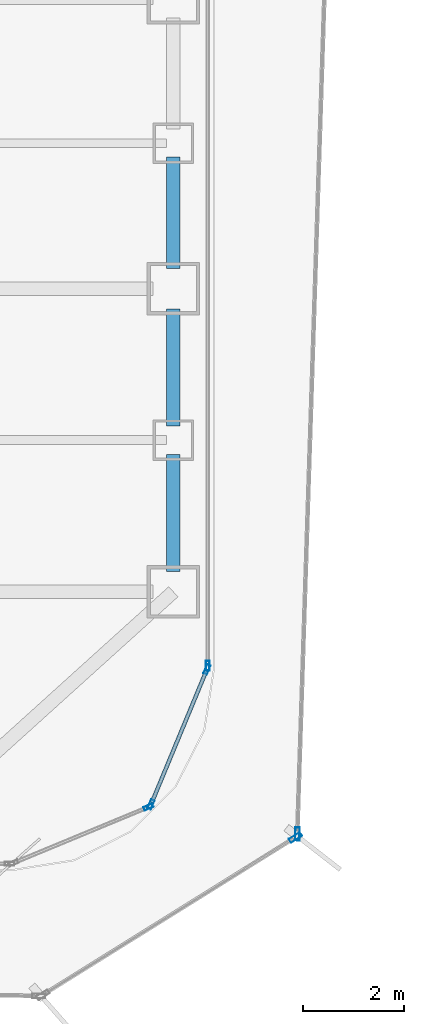
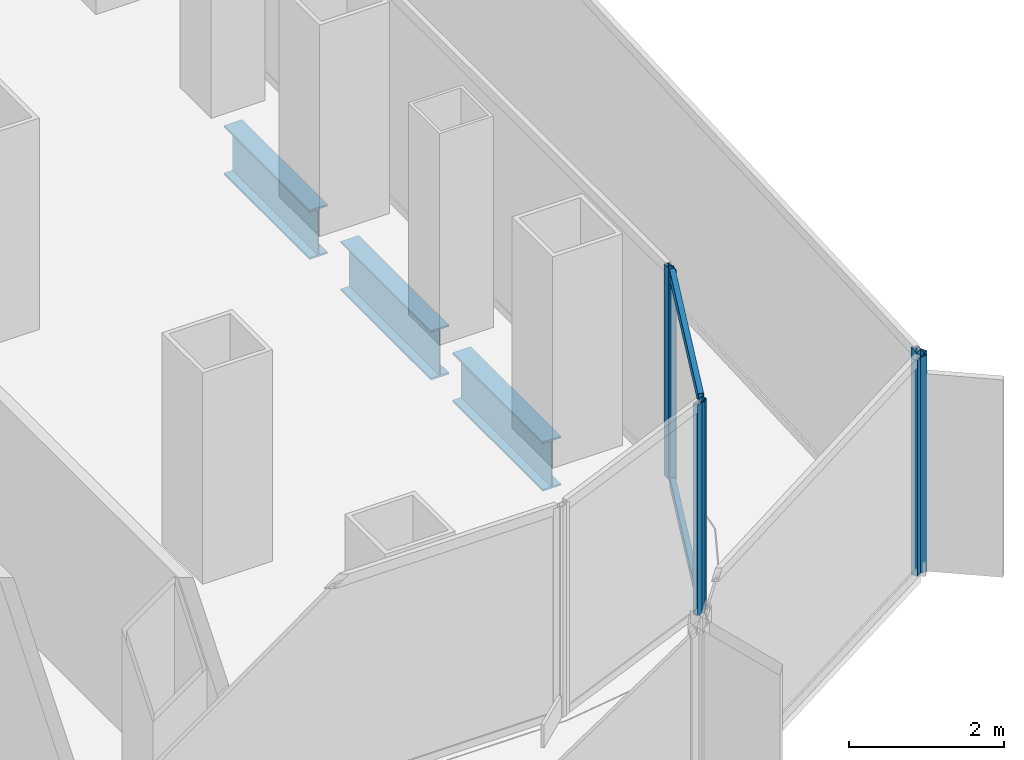
# One storey, part 8 of 22: 8 members, 3 beams, 5 elements without a shape of their own.
"""IFC4 building model written with IfcOpenShell, lengths in metres."""

import ifcopenshell
import ifcopenshell.guid

model = None  # the IFC model being written
_history = None  # IfcOwnerHistory: only IFC2X3 demands one
_inside = {}  # id of a spatial element -> (the spatial element, [elements in it])
_under = {}  # id of a project, library or spatial element -> (it, [spatial elements below it])
_declared = {}  # id of a project -> (the project, [libraries it declares])
_typed = {}  # id of a type object -> (the type object, [elements of that type])
_made_of = {}  # id of a material, layer set ... -> (it, [elements and type objects made of it])


def new_model(schema):
    """Start an empty IFC model of exactly this schema.

    Asked for "IFC4X3", IfcOpenShell would pick the latest addendum, in which some entities
    have other attributes; the version numbers below select the first issue.
    IFC2X3 requires an IfcOwnerHistory on every rooted entity: one is made here for all.
    """
    global model, _history
    if schema == "IFC4X3":
        model = ifcopenshell.file(schema_version=(4, 3, 0, 0))
    else:
        model = ifcopenshell.file(schema=schema)
    _inside.clear()
    _under.clear()
    _declared.clear()
    _typed.clear()
    _made_of.clear()
    _history = None
    if model.schema == "IFC2X3":
        org = make("IfcOrganization", Name="unknown")
        user = make(
            "IfcPersonAndOrganization",
            ThePerson=make("IfcPerson", FamilyName="unknown"),
            TheOrganization=org,
        )
        app = make(
            "IfcApplication",
            ApplicationDeveloper=org,
            Version="unknown",
            ApplicationFullName="unknown",
            ApplicationIdentifier="unknown",
        )
        _history = make(
            "IfcOwnerHistory",
            OwningUser=user,
            OwningApplication=app,
            ChangeAction="ADDED",
            CreationDate=0,
        )
    return model


def make(cls, **values):
    """One entity of the class cls with the attributes given. An attribute that is None is left unset."""
    return model.create_entity(
        cls, **{name: value for name, value in values.items() if value is not None}
    )


def rooted(cls, **values):
    """An entity with a GlobalId (a new one), such as an element, a storey or a relation."""
    return make(cls, GlobalId=ifcopenshell.guid.new(), OwnerHistory=_history, **values)


def si_unit(unit_type, name, prefix=None):
    """IfcSIUnit, for example si_unit("LENGTHUNIT", "METRE", prefix="MILLI")."""
    return make("IfcSIUnit", UnitType=unit_type, Prefix=prefix, Name=name)


def assignment(units):
    """IfcUnitAssignment: the units of a project."""
    return None if units is None else make("IfcUnitAssignment", Units=units)


def point(xyz):
    """IfcCartesianPoint."""
    return None if xyz is None else make("IfcCartesianPoint", Coordinates=xyz)


def direction(xyz):
    """IfcDirection."""
    return None if xyz is None else make("IfcDirection", DirectionRatios=xyz)


def frame(location, z_axis=None, x_axis=None):
    """IfcAxis2Placement3D, a coordinate frame: its origin and axes. An axis left out is left unset."""
    return make(
        "IfcAxis2Placement3D",
        Location=point(location),
        Axis=direction(z_axis),
        RefDirection=direction(x_axis),
    )


def frame_2d(location, x_axis=None):
    """IfcAxis2Placement2D, a coordinate frame in the plane: its origin and x axis."""
    return make(
        "IfcAxis2Placement2D", Location=point(location), RefDirection=direction(x_axis)
    )


def origin():
    """The frame at (0, 0, 0) with its axes left unset."""
    return frame((0.0, 0.0, 0.0))


def origin_2d():
    """The frame at (0, 0) in the plane with its x axis left unset."""
    return frame_2d((0.0, 0.0))


def place(relative_to, where):
    """IfcLocalPlacement: puts the frame where relative to a parent placement (None: the world)."""
    return make(
        "IfcLocalPlacement", PlacementRelTo=relative_to, RelativePlacement=where
    )


def context(
    kind, dimensions, precision=None, world=None, true_north=None, identifier=None
):
    """IfcGeometricRepresentationContext, for example the 3D "Model" context."""
    return make(
        "IfcGeometricRepresentationContext",
        ContextIdentifier=identifier,
        ContextType=kind,
        CoordinateSpaceDimension=dimensions,
        Precision=precision,
        WorldCoordinateSystem=world,
        TrueNorth=true_north,
    )


def subcontext(parent, identifier, kind, view, scale=None):
    """IfcGeometricRepresentationSubContext, for example "Body" below "Model"."""
    return make(
        "IfcGeometricRepresentationSubContext",
        ContextIdentifier=identifier,
        ContextType=kind,
        ParentContext=parent,
        TargetScale=scale,
        TargetView=view,
    )


def project(units=None, contexts=None):
    """IfcProject with its units and contexts."""
    return rooted(
        "IfcProject",
        Name="project",
        RepresentationContexts=contexts,
        UnitsInContext=assignment(units),
    )


def spatial(cls, under=None, at=None, **own):
    """A site, building, storey or space (cls), placed at a placement, below another one or the project."""
    s = rooted(cls, ObjectPlacement=at, **own)
    if under is not None:
        _under.setdefault(under.id(), (under, []))[1].append(s)
    return s


def profile(cls, at=None, kind="AREA", **sizes):
    """A parametric profile (cls). Its sizes go by their IFC names, for example OverallWidth=200.0."""
    return make(cls, ProfileType=kind, Position=at, **sizes)


def hollow_rectangle(**sizes):
    """IfcRectangleHollowProfileDef."""
    return profile("IfcRectangleHollowProfileDef", **sizes)


def i_section(**sizes):
    """IfcIShapeProfileDef."""
    return profile("IfcIShapeProfileDef", **sizes)


def extrude(swept, where, along, depth):
    """IfcExtrudedAreaSolid: the profile swept, set in the frame where, extruded along a direction by depth."""
    return make(
        "IfcExtrudedAreaSolid",
        SweptArea=swept,
        Position=where,
        ExtrudedDirection=direction(along),
        Depth=depth,
    )


def shape(context_of_items, identifier, shape_type, items):
    """IfcShapeRepresentation: the items that make up one representation, for example the "Body"."""
    return make(
        "IfcShapeRepresentation",
        ContextOfItems=context_of_items,
        RepresentationIdentifier=identifier,
        RepresentationType=shape_type,
        Items=items,
    )


def source(mapping_origin, context_of_items, identifier, shape_type, items):
    """IfcRepresentationMap: a shape defined once, which mapped items show again and again."""
    return make(
        "IfcRepresentationMap",
        MappingOrigin=mapping_origin,
        MappedRepresentation=shape(context_of_items, identifier, shape_type, items),
    )


def transform(
    local_origin,
    x_axis=None,
    y_axis=None,
    z_axis=None,
    scale=None,
    scale2=None,
    scale3=None,
    uniform=True,
):
    """IfcCartesianTransformationOperator3D, or its non-uniform kind. x_axis, y_axis, z_axis: its Axis1, 2, 3."""
    if uniform:
        return make(
            "IfcCartesianTransformationOperator3D",
            Axis1=direction(x_axis),
            Axis2=direction(y_axis),
            LocalOrigin=point(local_origin),
            Scale=scale,
            Axis3=direction(z_axis),
        )
    return make(
        "IfcCartesianTransformationOperator3DnonUniform",
        Axis1=direction(x_axis),
        Axis2=direction(y_axis),
        LocalOrigin=point(local_origin),
        Scale=scale,
        Axis3=direction(z_axis),
        Scale2=scale2,
        Scale3=scale3,
    )


def mapped(mapping_source, mapping_target):
    """IfcMappedItem: shows the shape of a source again, moved by a transform."""
    return make(
        "IfcMappedItem", MappingSource=mapping_source, MappingTarget=mapping_target
    )


def material(Name=None, Category=None):
    """IfcMaterial."""
    return make("IfcMaterial", Name=Name, Category=Category)


def layer(
    of_material, thickness, ventilated=None, Name=None, Category=None, Priority=None
):
    """IfcMaterialLayer: one layer of a wall or slab, of a material (None: an air gap)."""
    return make(
        "IfcMaterialLayer",
        Material=of_material,
        LayerThickness=thickness,
        IsVentilated=ventilated,
        Name=Name,
        Category=Category,
        Priority=Priority,
    )


def layer_set(layers, Name=None):
    """IfcMaterialLayerSet."""
    return make("IfcMaterialLayerSet", MaterialLayers=layers, LayerSetName=Name)


def material_profile(
    of_material, cross_section, Name=None, Category=None, Priority=None
):
    """IfcMaterialProfile: a cross section and its material."""
    return make(
        "IfcMaterialProfile",
        Name=Name,
        Material=of_material,
        Profile=cross_section,
        Priority=Priority,
        Category=Category,
    )


def profile_set(profiles, Name=None, composite=None):
    """IfcMaterialProfileSet."""
    return make(
        "IfcMaterialProfileSet",
        Name=Name,
        MaterialProfiles=profiles,
        CompositeProfile=composite,
    )


def made_of(thing, what):
    """Note that an element or type object is made of a material, layer set ...; save() writes the relation."""
    if what is not None:
        _made_of.setdefault(what.id(), (what, []))[1].append(thing)
    return thing


def type_object(cls, material=None, **own):
    """A type object (cls), such as IfcWallType, which elements share."""
    return made_of(rooted(cls, **own), material)


def element(
    cls,
    number,
    at=None,
    inside=None,
    cuts=None,
    type_object=None,
    material=None,
    context=None,
    identifier="Body",
    shape_type=None,
    held_by="IfcProductDefinitionShape",
    body=None,
    shapes=None,
    **own,
):
    """One element of the class cls, such as IfcWall. Its Tag is "e" and its number.

    at: its placement. inside: the storey or other place that contains it. cuts: it is an
    opening in that element (IfcRelVoidsElement). A single representation is given by context,
    identifier, shape_type and body (its items); several are given by shapes. held_by: the class
    of the entity that holds the representations. save() writes the other relations.
    """
    e = rooted(cls, Tag="e%d" % number, ObjectPlacement=at, **own)
    if body is not None:
        shapes = [shape(context, identifier, shape_type, body)]
    if shapes is not None:
        e.Representation = make(held_by, Representations=shapes)
    if inside is not None:
        _inside.setdefault(inside.id(), (inside, []))[1].append(e)
    if cuts is not None:
        rooted(
            "IfcRelVoidsElement", RelatingBuildingElement=cuts, RelatedOpeningElement=e
        )
    if type_object is not None:
        _typed.setdefault(type_object.id(), (type_object, []))[1].append(e)
    return made_of(e, material)


def aggregate(whole, parts):
    """IfcRelAggregates: a whole, such as a stair, and the parts it consists of."""
    return rooted("IfcRelAggregates", RelatingObject=whole, RelatedObjects=parts)


def save(model, path):
    """Write the relations noted so far, then the file.

    IfcRelAggregates (storeys below a building ...), IfcRelContainedInSpatialStructure (elements
    in a storey), IfcRelDefinesByType, IfcRelAssociatesMaterial and IfcRelDeclares: one each for
    every whole, place, type object, material and project.
    """
    for whole, parts in _under.values():
        aggregate(whole, parts)
    for where, things in _inside.values():
        rooted(
            "IfcRelContainedInSpatialStructure",
            RelatedElements=things,
            RelatingStructure=where,
        )
    for kind, things in _typed.values():
        rooted("IfcRelDefinesByType", RelatedObjects=things, RelatingType=kind)
    for what, things in _made_of.values():
        rooted("IfcRelAssociatesMaterial", RelatedObjects=things, RelatingMaterial=what)
    for by, libraries in _declared.values():
        rooted("IfcRelDeclares", RelatingContext=by, RelatedDefinitions=libraries)
    model.write(path)


model = new_model("IFC4")

# Units and contexts
model_context = context("Model", 3, precision=1e-05, world=origin(), true_north=direction((0.0, 1.0)))
body_context = subcontext(model_context, "Body", "Model", "MODEL_VIEW")
ifc_project = project(units=[si_unit("LENGTHUNIT", "METRE"), si_unit("AREAUNIT", "SQUARE_METRE"), si_unit("VOLUMEUNIT", "CUBIC_METRE"), si_unit("PLANEANGLEUNIT", "RADIAN"), si_unit("MASSUNIT", "GRAM", prefix="KILO")], contexts=[model_context])

# Site, building, storey
site_placement = place(None, origin())
site = spatial("IfcSite", under=ifc_project, at=site_placement, CompositionType="ELEMENT")
building_placement = place(site_placement, origin())
building = spatial("IfcBuilding", under=site, at=building_placement, Name="Kolveth Station Tower", CompositionType="ELEMENT")
storey_placement = place(building_placement, frame((0.0, 0.0, 51.300048828125)))
storey = spatial("IfcBuildingStorey", under=building, at=storey_placement, Name="L13", CompositionType="ELEMENT", Elevation=51.300048828125)

# Beams
ifc_material_1 = material(Name="Steel S355", Category="steel")
ifc_material_profile_1 = material_profile(ifc_material_1, i_section(OverallWidth=0.26904296875, OverallDepth=0.77490234375, WebThickness=0.01708984375, FlangeThickness=0.0283203125, at=origin_2d()), Name="W760x220")
ifc_profile_set_1 = profile_set([ifc_material_profile_1], Name="Steel S355")
beam_type = type_object("IfcBeamType", Name="Beam_SP1", PredefinedType="SPANDREL", material=ifc_profile_set_1)
shared_shape_1 = source(origin(), body_context, "Body", "SweptSolid", [
    extrude(i_section(OverallWidth=0.26904296875, OverallDepth=0.77490234375, WebThickness=0.01708984375, FlangeThickness=0.0283203125, at=origin_2d()), origin(), (0.0, 0.0, 1.0), 2.320068359375),
])
for number, where, z_axis, x_axis, name in (
    (1, (46.199951171875, 5.89990234375, -0.66748046875), (0.0, 1.0, 0.0), (-1.0, 0.0, 0.0), "L13 Perimeter Spandrel BM-L13-PE-1"),
    (2, (46.199951171875, 8.780029296875, -0.66748046875), (0.0, 1.0, 0.0), (-1.0, 0.0, 0.0), "L13 Perimeter Spandrel BM-L13-PE-2"),
):
    element("IfcBeam", number, at=place(storey_placement, frame(where, z_axis=z_axis, x_axis=x_axis)), inside=storey, type_object=beam_type, Name=name, PredefinedType="SPANDREL", context=body_context, shape_type="MappedRepresentation", body=[
        mapped(shared_shape_1, transform((0.0, 0.0, 0.0), x_axis=(1.0, 0.0, 0.0), y_axis=(0.0, 1.0, 0.0), z_axis=(0.0, 0.0, 1.0), scale=1.0)),
    ])
shared_shape_2 = source(origin(), body_context, "Body", "SweptSolid", [
    extrude(i_section(OverallWidth=0.26904296875, OverallDepth=0.77490234375, WebThickness=0.01708984375, FlangeThickness=0.0283203125, at=origin_2d()), origin(), (0.0, 0.0, 1.0), 2.2001953125),
])
beam_placement = place(storey_placement, frame((46.199951171875, 11.89990234375, -0.66748046875), z_axis=(0.0, 1.0, 0.0), x_axis=(-1.0, 0.0, 0.0)))
element("IfcBeam", 3, at=beam_placement, inside=storey, type_object=beam_type, Name="L13 Perimeter Spandrel BM-L13-PE-3", PredefinedType="SPANDREL", context=body_context, shape_type="MappedRepresentation", body=[
    mapped(shared_shape_2, transform((0.0, 0.0, 0.0), x_axis=(1.0, 0.0, 0.0), y_axis=(0.0, 1.0, 0.0), z_axis=(0.0, 0.0, 1.0), scale=1.0)),
])

# Curtain wall, member
ifc_material_2 = material(Name="Aluminium 6063-T6 and low-E dark glass", Category="aluminium")
ifc_layer_1 = layer(ifc_material_2, 0.179931640625)
ifc_layer_set_1 = layer_set([ifc_layer_1], Name="Aluminium 6063-T6 and low-E dark glass")
curtain_wall_type_1 = type_object("IfcCurtainWallType", Name="CurtainWall_CW-Z1", PredefinedType="NOTDEFINED", material=ifc_layer_set_1)
curtain_wall_1_placement = place(storey_placement, origin())
curtain_wall_1 = element("IfcCurtainWall", 4, at=curtain_wall_1_placement, inside=storey, type_object=curtain_wall_type_1, Name="L13 Inner Thermal Curtain Wall 1", PredefinedType="NOTDEFINED")
ifc_material_3 = material(Name="Black anodized aluminium 6063-T6", Category="aluminium")
ifc_material_profile_2 = material_profile(ifc_material_3, hollow_rectangle(XDim=0.074951171875, YDim=0.18994140625, WallThickness=0.0048828125, at=origin_2d()), Name="ALU-75x190x5")
ifc_profile_set_2 = profile_set([ifc_material_profile_2], Name="Black anodized aluminium 6063-T6")
member_type_1 = type_object("IfcMemberType", Name="Mullion_ML1", PredefinedType="MULLION", material=ifc_profile_set_2)
shared_shape_3 = source(origin(), body_context, "Body", "SweptSolid", [
    extrude(hollow_rectangle(XDim=0.074951171875, YDim=0.18994140625, WallThickness=0.0048828125, at=origin_2d()), origin(), (0.0, 0.0, 1.0), 3.320068359375),
])
member_1_placement = place(storey_placement, frame((45.708984375, 1.241943359375, 0.0), z_axis=(0.0, 0.0, 1.0), x_axis=(-0.382672990201, 0.923883857728, 0.0)))
member_1 = element("IfcMember", 5, at=member_1_placement, type_object=member_type_1, Name="CW-Z1 mullion 2", PredefinedType="MULLION", context=body_context, shape_type="MappedRepresentation", body=[
    mapped(shared_shape_3, transform((0.0, 0.0, 0.0), x_axis=(1.0, 0.0, 0.0), y_axis=(0.0, 1.0, 0.0), z_axis=(0.0, 0.0, 1.0), scale=1.0)),
])
aggregate(curtain_wall_1, [member_1])

# Curtain wall, members
curtain_wall_2_placement = place(storey_placement, origin())
curtain_wall_2 = element("IfcCurtainWall", 6, at=curtain_wall_2_placement, inside=storey, type_object=curtain_wall_type_1, Name="L13 Inner Thermal Curtain Wall 2", PredefinedType="NOTDEFINED")
member_2_placement = place(storey_placement, frame((45.758056640625, 1.291015625, 0.0), z_axis=(0.0, 0.0, 1.0), x_axis=(-0.923883857728, 0.382672990201, 0.0)))
member_2 = element("IfcMember", 7, at=member_2_placement, type_object=member_type_1, Name="CW-Z1 mullion 1", PredefinedType="MULLION", context=body_context, shape_type="MappedRepresentation", body=[
    mapped(shared_shape_3, transform((0.0, 0.0, 0.0), x_axis=(1.0, 0.0, 0.0), y_axis=(0.0, 1.0, 0.0), z_axis=(0.0, 0.0, 1.0), scale=1.0)),
])
member_3_placement = place(storey_placement, frame((46.86572265625, 3.96533203125, 0.0), z_axis=(0.0, 0.0, 1.0), x_axis=(-0.923883857728, 0.382672990201, 0.0)))
member_3 = element("IfcMember", 8, at=member_3_placement, type_object=member_type_1, Name="CW-Z1 mullion 2", PredefinedType="MULLION", context=body_context, shape_type="MappedRepresentation", body=[
    mapped(shared_shape_3, transform((0.0, 0.0, 0.0), x_axis=(1.0, 0.0, 0.0), y_axis=(0.0, 1.0, 0.0), z_axis=(0.0, 0.0, 1.0), scale=1.0)),
])

# Curtain wall, member
curtain_wall_3_placement = place(storey_placement, origin())
curtain_wall_3 = element("IfcCurtainWall", 9, at=curtain_wall_3_placement, inside=storey, type_object=curtain_wall_type_1, Name="L13 Inner Thermal Curtain Wall 3", PredefinedType="NOTDEFINED")
member_4_placement = place(storey_placement, frame((46.8798828125, 4.03759765625, 0.0), z_axis=(0.0, 0.0, 1.0), x_axis=(-1.0, 0.0, 0.0)))
member_4 = element("IfcMember", 10, at=member_4_placement, type_object=member_type_1, Name="CW-Z1 mullion 1", PredefinedType="MULLION", context=body_context, shape_type="MappedRepresentation", body=[
    mapped(shared_shape_3, transform((0.0, 0.0, 0.0), x_axis=(1.0, 0.0, 0.0), y_axis=(0.0, 1.0, 0.0), z_axis=(0.0, 0.0, 1.0), scale=1.0)),
])
aggregate(curtain_wall_3, [member_4])

# Member
ifc_material_profile_3 = material_profile(ifc_material_3, hollow_rectangle(XDim=0.074951171875, YDim=0.159912109375, WallThickness=0.0048828125, at=origin_2d()), Name="ALU-75x160x5")
ifc_profile_set_3 = profile_set([ifc_material_profile_3], Name="Black anodized aluminium 6063-T6")
member_type_2 = type_object("IfcMemberType", Name="Transom_TR1", PredefinedType="USERDEFINED", material=ifc_profile_set_3)
shared_shape_4 = source(origin(), body_context, "Body", "SweptSolid", [
    extrude(hollow_rectangle(XDim=0.074951171875, YDim=0.159912109375, WallThickness=0.0048828125, at=origin_2d()), origin(), (0.0, 0.0, 1.0), 2.819580078125),
])
member_5_placement = place(storey_placement, frame((45.772216796875, 1.32568359375, 0.037353515625), z_axis=(0.382708655389, 0.923869084389, 0.0), x_axis=(-0.923869084389, 0.382708655389, 0.0)))
member_5 = element("IfcMember", 11, at=member_5_placement, type_object=member_type_2, Name="CW-Z1 transom 1.1", ObjectType="TRANSOM", PredefinedType="USERDEFINED", context=body_context, shape_type="MappedRepresentation", body=[
    mapped(shared_shape_4, transform((0.0, 0.0, 0.0), x_axis=(1.0, 0.0, 0.0), y_axis=(0.0, 1.0, 0.0), z_axis=(0.0, 0.0, 1.0), scale=1.0)),
])

member_6_placement = place(storey_placement, frame((45.772216796875, 1.32568359375, 3.282470703125), z_axis=(0.382708655389, 0.923869084389, 0.0), x_axis=(-0.923869084389, 0.382708655389, 0.0)))
member_6 = element("IfcMember", 12, at=member_6_placement, type_object=member_type_2, Name="CW-Z1 transom 1.2", ObjectType="TRANSOM", PredefinedType="USERDEFINED", context=body_context, shape_type="MappedRepresentation", body=[
    mapped(shared_shape_4, transform((0.0, 0.0, 0.0), x_axis=(1.0, 0.0, 0.0), y_axis=(0.0, 1.0, 0.0), z_axis=(0.0, 0.0, 1.0), scale=1.0)),
])

aggregate(curtain_wall_2, [member_2, member_3, member_5, member_6])

# Curtain wall, member
ifc_material_4 = material(Name="Black anodized aluminium 6063-T6 and dark solar glass", Category="aluminium")
ifc_layer_2 = layer(ifc_material_4, 0.159912109375)
ifc_layer_set_2 = layer_set([ifc_layer_2], Name="Black anodized aluminium 6063-T6 and dark solar glass")
curtain_wall_type_2 = type_object("IfcCurtainWallType", Name="OUTER SKIN CW-OS", PredefinedType="NOTDEFINED", material=ifc_layer_set_2)
curtain_wall_4_placement = place(storey_placement, origin())
curtain_wall_4 = element("IfcCurtainWall", 13, at=curtain_wall_4_placement, inside=storey, type_object=curtain_wall_type_2, Name="L13 Outer Ventilated Skin Curtain Wall 1", PredefinedType="NOTDEFINED")
ifc_material_profile_4 = material_profile(ifc_material_3, hollow_rectangle(XDim=0.090087890625, YDim=0.260009765625, WallThickness=0.0048828125, at=origin_2d()), Name="ALU-90x260x5")
ifc_profile_set_4 = profile_set([ifc_material_profile_4], Name="Black anodized aluminium 6063-T6")
member_type_3 = type_object("IfcMemberType", Name="FIN MULLION ML-OS", PredefinedType="MULLION", material=ifc_profile_set_4)
shared_shape_5 = source(origin(), body_context, "Body", "SweptSolid", [
    extrude(hollow_rectangle(XDim=0.090087890625, YDim=0.260009765625, WallThickness=0.0048828125, at=origin_2d()), origin(), (0.0, 0.0, 1.0), 3.389892578125),
])
member_7_placement = place(storey_placement, frame((48.6162109375, 0.64013671875, 0.0), z_axis=(0.0, 0.0, 1.0), x_axis=(-0.529185183042, 0.848506359463, 0.0)))
member_7 = element("IfcMember", 14, at=member_7_placement, type_object=member_type_3, Name="CW-OS mullion 2", PredefinedType="MULLION", context=body_context, shape_type="MappedRepresentation", body=[
    mapped(shared_shape_5, transform((0.0, 0.0, 0.0), x_axis=(1.0, 0.0, 0.0), y_axis=(0.0, 1.0, 0.0), z_axis=(0.0, 0.0, 1.0), scale=1.0)),
])
aggregate(curtain_wall_4, [member_7])

curtain_wall_5_placement = place(storey_placement, origin())
curtain_wall_5 = element("IfcCurtainWall", 15, at=curtain_wall_5_placement, inside=storey, type_object=curtain_wall_type_2, Name="L13 Outer Ventilated Skin Curtain Wall 2", PredefinedType="NOTDEFINED")
member_8_placement = place(storey_placement, frame((48.656005859375, 0.708984375, 0.0), z_axis=(0.0, 0.0, 1.0), x_axis=(-0.999476070719, 0.032366403277, 0.0)))
member_8 = element("IfcMember", 16, at=member_8_placement, type_object=member_type_3, Name="CW-OS mullion 1", PredefinedType="MULLION", context=body_context, shape_type="MappedRepresentation", body=[
    mapped(shared_shape_5, transform((0.0, 0.0, 0.0), x_axis=(1.0, 0.0, 0.0), y_axis=(0.0, 1.0, 0.0), z_axis=(0.0, 0.0, 1.0), scale=1.0)),
])
aggregate(curtain_wall_5, [member_8])

save(model, "model.ifc")
